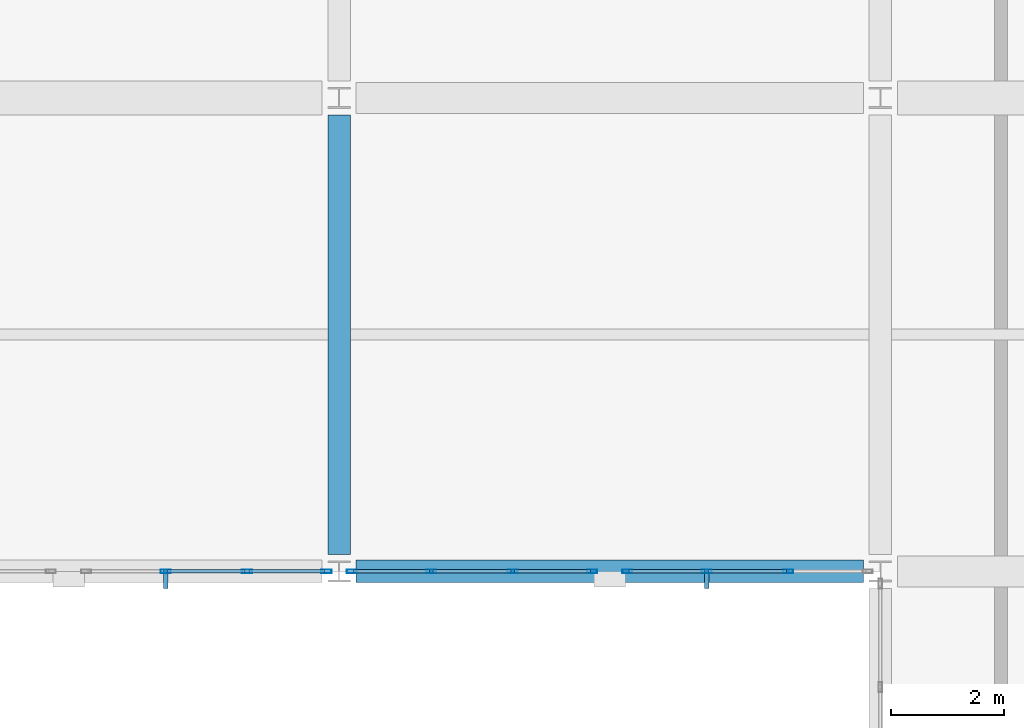
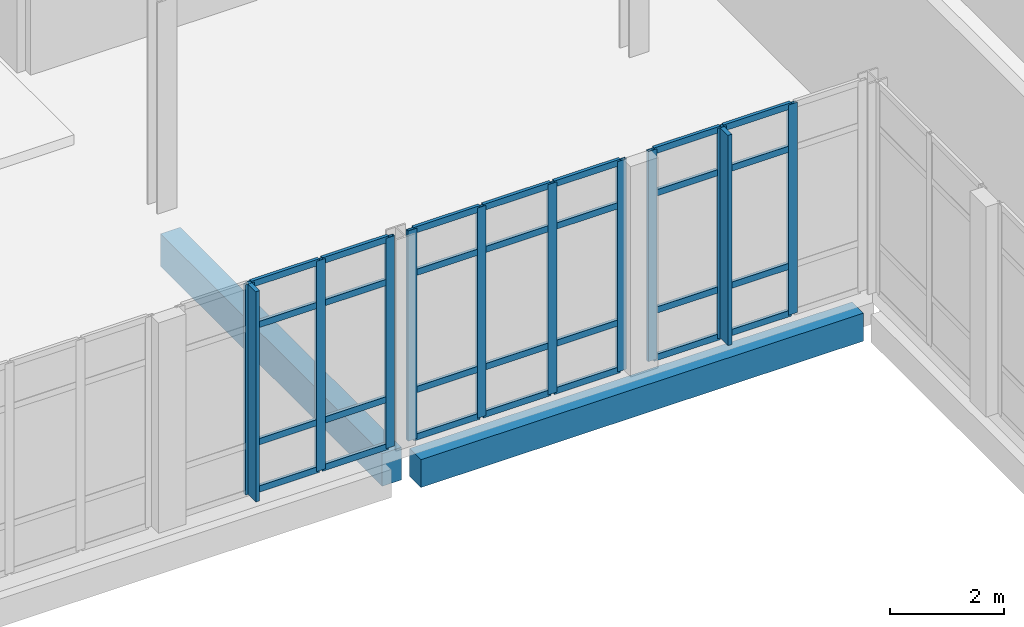
# One storey, part 53 of 102: 40 members, 2 beams, 3 elements without a shape of their own.
"""IFC4 building model written with IfcOpenShell, lengths in metres."""

from ifc_helpers import new_model, si_unit, direction, frame, origin, origin_2d, place, context, subcontext, project, spatial, rectangle, hollow_rectangle, extrude, material, layer, layer_set, material_profile, profile_set, type_object, element, aggregate, save


model = new_model("IFC4")

# Units and contexts
model_context = context("Model", 3, precision=1e-05, world=origin(), true_north=direction((0.0, 1.0)))
body_context = subcontext(model_context, "Body", "Model", "MODEL_VIEW")
ifc_project = project(units=[si_unit("LENGTHUNIT", "METRE"), si_unit("AREAUNIT", "SQUARE_METRE"), si_unit("VOLUMEUNIT", "CUBIC_METRE"), si_unit("PLANEANGLEUNIT", "RADIAN"), si_unit("MASSUNIT", "GRAM", prefix="KILO")], contexts=[model_context])

# Site, building, storey
site_placement = place(None, origin())
site = spatial("IfcSite", under=ifc_project, at=site_placement, CompositionType="ELEMENT")
building_placement = place(site_placement, origin())
building = spatial("IfcBuilding", under=site, at=building_placement, Name="Lornevale Opera House", CompositionType="ELEMENT")
storey_placement = place(building_placement, frame((0.0, 0.0, 5.39990234375)))
storey = spatial("IfcBuildingStorey", under=building, at=storey_placement, Name="L02", CompositionType="ELEMENT", Elevation=5.39990234375)

# Beams
ifc_material_1 = material(Name="Concrete 35 MPa (CSA A23.1 N)", Category="concrete")
ifc_material_profile_1 = material_profile(ifc_material_1, rectangle(XDim=0.39990234375, YDim=0.699951171875, at=origin_2d()), Name="RC400x700")
ifc_profile_set_1 = profile_set([ifc_material_profile_1], Name="Concrete 35 MPa (CSA A23.1 N)")
beam_type_1 = type_object("IfcBeamType", Name="Concrete Floor Beam 400x700", PredefinedType="USERDEFINED", material=ifc_profile_set_1)
beam_1_placement = place(storey_placement, frame((19.199951171875, 67.5, -0.699951171875), z_axis=(0.0, 1.0, 0.0), x_axis=(-1.0, 0.0, 0.0)))
element("IfcBeam", 1, at=beam_1_placement, inside=storey, type_object=beam_type_1, Name="Concrete Floor Beam 400x700 1841", ObjectType="GIRDER", PredefinedType="USERDEFINED", context=body_context, shape_type="SweptSolid", body=[
    extrude(rectangle(XDim=0.39990234375, YDim=0.699951171875, at=origin_2d()), origin(), (0.0, 0.0, 1.0), 7.800048828125),
])
ifc_material_profile_2 = material_profile(ifc_material_1, rectangle(XDim=0.39990234375, YDim=0.60009765625, at=origin_2d()), Name="RC400x600")
ifc_profile_set_2 = profile_set([ifc_material_profile_2], Name="Concrete 35 MPa (CSA A23.1 N)")
beam_type_2 = type_object("IfcBeamType", Name="Concrete Spandrel Beam 400x600", PredefinedType="SPANDREL", material=ifc_profile_set_2)
beam_2_placement = place(storey_placement, frame((19.5, 67.199951171875, -0.64990234375), z_axis=(1.0, 0.0, 0.0), x_axis=(0.0, 1.0, 0.0)))
element("IfcBeam", 2, at=beam_2_placement, inside=storey, type_object=beam_type_2, Name="Concrete Spandrel Beam 400x600 1758", PredefinedType="SPANDREL", context=body_context, shape_type="SweptSolid", body=[
    extrude(rectangle(XDim=0.39990234375, YDim=0.60009765625, at=origin_2d()), origin(), (0.0, 0.0, 1.0), 9.0),
])

# Curtain wall, members
ifc_material_2 = material(Name="Anodized Oxide-Green Aluminium Framing", Category="aluminium")
ifc_layer = layer(ifc_material_2, 0.175048828125)
ifc_layer_set = layer_set([ifc_layer], Name="Anodized Oxide-Green Aluminium Framing")
curtain_wall_type = type_object("IfcCurtainWallType", Name="Chamber Cloister Curtain Wall M1700", PredefinedType="NOTDEFINED", material=ifc_layer_set)
curtain_wall_1_placement = place(storey_placement, origin())
curtain_wall_1 = element("IfcCurtainWall", 3, at=curtain_wall_1_placement, inside=storey, type_object=curtain_wall_type, Name="Chamber Cloister Curtain Wall M1700 CW-033", PredefinedType="NOTDEFINED")
ifc_material_profile_3 = material_profile(ifc_material_2, hollow_rectangle(XDim=0.06494140625, YDim=0.179931640625, WallThickness=0.0048828125, at=origin_2d()), Name="ALU65x180x5")
ifc_profile_set_3 = profile_set([ifc_material_profile_3], Name="Anodized Oxide-Green Aluminium Framing")
member_type_1 = type_object("IfcMemberType", Name="Curtain Wall Mullion 65x180", PredefinedType="MULLION", material=ifc_profile_set_3)
member_1_placement = place(storey_placement, frame((18.974609375, 67.199951171875, 0.0), z_axis=(0.0, 0.0, 1.0), x_axis=(0.0, -1.0, 0.0)))
member_1 = element("IfcMember", 4, at=member_1_placement, type_object=member_type_1, Name="Curtain Wall Mullion 65x180 CW0633", PredefinedType="MULLION", context=body_context, shape_type="SweptSolid", body=[
    extrude(hollow_rectangle(XDim=0.06494140625, YDim=0.179931640625, WallThickness=0.0048828125, at=origin_2d()), origin(), (0.0, 0.0, 1.0), 4.52001953125),
])
member_2_placement = place(storey_placement, frame((17.564697265625, 67.199951171875, 0.0), z_axis=(0.0, 0.0, 1.0), x_axis=(0.0, -1.0, 0.0)))
member_2 = element("IfcMember", 5, at=member_2_placement, type_object=member_type_1, Name="Curtain Wall Mullion 65x180 CW0634", PredefinedType="MULLION", context=body_context, shape_type="SweptSolid", body=[
    extrude(hollow_rectangle(XDim=0.06494140625, YDim=0.179931640625, WallThickness=0.0048828125, at=origin_2d()), origin(), (0.0, 0.0, 1.0), 4.52001953125),
])
member_3_placement = place(storey_placement, frame((16.122314453125, 67.199951171875, 0.0), z_axis=(0.0, 0.0, 1.0), x_axis=(0.0, -1.0, 0.0)))
member_3 = element("IfcMember", 6, at=member_3_placement, type_object=member_type_1, Name="Curtain Wall Mullion 65x180 CW0635", PredefinedType="MULLION", context=body_context, shape_type="SweptSolid", body=[
    extrude(hollow_rectangle(XDim=0.06494140625, YDim=0.179931640625, WallThickness=0.0048828125, at=origin_2d()), origin(), (0.0, 0.0, 1.0), 4.52001953125),
])

curtain_wall_2_placement = place(storey_placement, origin())
curtain_wall_2 = element("IfcCurtainWall", 7, at=curtain_wall_2_placement, inside=storey, type_object=curtain_wall_type, Name="Chamber Cloister Curtain Wall M1700 CW-041", PredefinedType="NOTDEFINED")
member_4_placement = place(storey_placement, frame((27.164794921875, 67.199951171875, 0.0), z_axis=(0.0, 0.0, 1.0), x_axis=(0.0, -1.0, 0.0)))
member_4 = element("IfcMember", 8, at=member_4_placement, type_object=member_type_1, Name="Curtain Wall Mullion 65x180 CW0834", PredefinedType="MULLION", context=body_context, shape_type="SweptSolid", body=[
    extrude(hollow_rectangle(XDim=0.06494140625, YDim=0.179931640625, WallThickness=0.0048828125, at=origin_2d()), origin(), (0.0, 0.0, 1.0), 4.52001953125),
])
member_5_placement = place(storey_placement, frame((25.722412109375, 67.199951171875, 0.0), z_axis=(0.0, 0.0, 1.0), x_axis=(0.0, -1.0, 0.0)))
member_5 = element("IfcMember", 9, at=member_5_placement, type_object=member_type_1, Name="Curtain Wall Mullion 65x180 CW0835", PredefinedType="MULLION", context=body_context, shape_type="SweptSolid", body=[
    extrude(hollow_rectangle(XDim=0.06494140625, YDim=0.179931640625, WallThickness=0.0048828125, at=origin_2d()), origin(), (0.0, 0.0, 1.0), 4.52001953125),
])
member_6_placement = place(storey_placement, frame((24.3125, 67.199951171875, 0.0), z_axis=(0.0, 0.0, 1.0), x_axis=(0.0, -1.0, 0.0)))
member_6 = element("IfcMember", 10, at=member_6_placement, type_object=member_type_1, Name="Curtain Wall Mullion 65x180 CW0836", PredefinedType="MULLION", context=body_context, shape_type="SweptSolid", body=[
    extrude(hollow_rectangle(XDim=0.06494140625, YDim=0.179931640625, WallThickness=0.0048828125, at=origin_2d()), origin(), (0.0, 0.0, 1.0), 4.52001953125),
])

curtain_wall_3_placement = place(storey_placement, origin())
curtain_wall_3 = element("IfcCurtainWall", 11, at=curtain_wall_3_placement, inside=storey, type_object=curtain_wall_type, Name="Chamber Cloister Curtain Wall M1700 CW-042", PredefinedType="NOTDEFINED")
member_7_placement = place(storey_placement, frame((23.6875, 67.199951171875, 0.0), z_axis=(0.0, 0.0, 1.0), x_axis=(0.0, -1.0, 0.0)))
member_7 = element("IfcMember", 12, at=member_7_placement, type_object=member_type_1, Name="Curtain Wall Mullion 65x180 CW0858", PredefinedType="MULLION", context=body_context, shape_type="SweptSolid", body=[
    extrude(hollow_rectangle(XDim=0.06494140625, YDim=0.179931640625, WallThickness=0.0048828125, at=origin_2d()), origin(), (0.0, 0.0, 1.0), 4.52001953125),
])
member_8_placement = place(storey_placement, frame((22.277587890625, 67.199951171875, 0.0), z_axis=(0.0, 0.0, 1.0), x_axis=(0.0, -1.0, 0.0)))
member_8 = element("IfcMember", 13, at=member_8_placement, type_object=member_type_1, Name="Curtain Wall Mullion 65x180 CW0859", PredefinedType="MULLION", context=body_context, shape_type="SweptSolid", body=[
    extrude(hollow_rectangle(XDim=0.06494140625, YDim=0.179931640625, WallThickness=0.0048828125, at=origin_2d()), origin(), (0.0, 0.0, 1.0), 4.52001953125),
])
member_9_placement = place(storey_placement, frame((20.835205078125, 67.199951171875, 0.0), z_axis=(0.0, 0.0, 1.0), x_axis=(0.0, -1.0, 0.0)))
member_9 = element("IfcMember", 14, at=member_9_placement, type_object=member_type_1, Name="Curtain Wall Mullion 65x180 CW0860", PredefinedType="MULLION", context=body_context, shape_type="SweptSolid", body=[
    extrude(hollow_rectangle(XDim=0.06494140625, YDim=0.179931640625, WallThickness=0.0048828125, at=origin_2d()), origin(), (0.0, 0.0, 1.0), 4.52001953125),
])
member_10_placement = place(storey_placement, frame((19.425537109375, 67.199951171875, 0.0), z_axis=(0.0, 0.0, 1.0), x_axis=(0.0, -1.0, 0.0)))
member_10 = element("IfcMember", 15, at=member_10_placement, type_object=member_type_1, Name="Curtain Wall Mullion 65x180 CW0861", PredefinedType="MULLION", context=body_context, shape_type="SweptSolid", body=[
    extrude(hollow_rectangle(XDim=0.06494140625, YDim=0.179931640625, WallThickness=0.0048828125, at=origin_2d()), origin(), (0.0, 0.0, 1.0), 4.52001953125),
])

# Member
ifc_material_profile_4 = material_profile(ifc_material_2, hollow_rectangle(XDim=0.06494140625, YDim=0.135009765625, WallThickness=0.00390625, at=origin_2d()), Name="ALU65x135x4")
ifc_profile_set_4 = profile_set([ifc_material_profile_4], Name="Anodized Oxide-Green Aluminium Framing")
member_type_2 = type_object("IfcMemberType", Name="Curtain Wall Transom 65x135", PredefinedType="USERDEFINED", material=ifc_profile_set_4)
member_11_placement = place(storey_placement, frame((18.94189453125, 67.199951171875, 0.03271484375), z_axis=(-1.0, 0.0, 0.0), x_axis=(0.0, -1.0, 0.0)))
member_11 = element("IfcMember", 16, at=member_11_placement, type_object=member_type_2, Name="Curtain Wall Transom 65x135 CW0637", ObjectType="TRANSOM", PredefinedType="USERDEFINED", context=body_context, shape_type="SweptSolid", body=[
    extrude(hollow_rectangle(XDim=0.06494140625, YDim=0.135009765625, WallThickness=0.00390625, at=origin_2d()), origin(), (0.0, 0.0, 1.0), 1.3447265625),
])

member_12_placement = place(storey_placement, frame((18.94189453125, 67.199951171875, 1.050048828125), z_axis=(-1.0, 0.0, 0.0), x_axis=(0.0, -1.0, 0.0)))
member_12 = element("IfcMember", 17, at=member_12_placement, type_object=member_type_2, Name="Curtain Wall Transom 65x135 CW0638", ObjectType="TRANSOM", PredefinedType="USERDEFINED", context=body_context, shape_type="SweptSolid", body=[
    extrude(hollow_rectangle(XDim=0.06494140625, YDim=0.135009765625, WallThickness=0.00390625, at=origin_2d()), origin(), (0.0, 0.0, 1.0), 1.3447265625),
])

member_13_placement = place(storey_placement, frame((18.94189453125, 67.199951171875, 3.570068359375), z_axis=(-1.0, 0.0, 0.0), x_axis=(0.0, -1.0, 0.0)))
member_13 = element("IfcMember", 18, at=member_13_placement, type_object=member_type_2, Name="Curtain Wall Transom 65x135 CW0639", ObjectType="TRANSOM", PredefinedType="USERDEFINED", context=body_context, shape_type="SweptSolid", body=[
    extrude(hollow_rectangle(XDim=0.06494140625, YDim=0.135009765625, WallThickness=0.00390625, at=origin_2d()), origin(), (0.0, 0.0, 1.0), 1.3447265625),
])

member_14_placement = place(storey_placement, frame((18.94189453125, 67.199951171875, 4.487548828125), z_axis=(-1.0, 0.0, 0.0), x_axis=(0.0, -1.0, 0.0)))
member_14 = element("IfcMember", 19, at=member_14_placement, type_object=member_type_2, Name="Curtain Wall Transom 65x135 CW0640", ObjectType="TRANSOM", PredefinedType="USERDEFINED", context=body_context, shape_type="SweptSolid", body=[
    extrude(hollow_rectangle(XDim=0.06494140625, YDim=0.135009765625, WallThickness=0.00390625, at=origin_2d()), origin(), (0.0, 0.0, 1.0), 1.3447265625),
])

member_15_placement = place(storey_placement, frame((17.5322265625, 67.199951171875, 0.03271484375), z_axis=(-1.0, 0.0, 0.0), x_axis=(0.0, -1.0, 0.0)))
member_15 = element("IfcMember", 20, at=member_15_placement, type_object=member_type_2, Name="Curtain Wall Transom 65x135 CW0644", ObjectType="TRANSOM", PredefinedType="USERDEFINED", context=body_context, shape_type="SweptSolid", body=[
    extrude(hollow_rectangle(XDim=0.06494140625, YDim=0.135009765625, WallThickness=0.00390625, at=origin_2d()), origin(), (0.0, 0.0, 1.0), 1.37744140625),
])

member_16_placement = place(storey_placement, frame((17.5322265625, 67.199951171875, 1.050048828125), z_axis=(-1.0, 0.0, 0.0), x_axis=(0.0, -1.0, 0.0)))
member_16 = element("IfcMember", 21, at=member_16_placement, type_object=member_type_2, Name="Curtain Wall Transom 65x135 CW0645", ObjectType="TRANSOM", PredefinedType="USERDEFINED", context=body_context, shape_type="SweptSolid", body=[
    extrude(hollow_rectangle(XDim=0.06494140625, YDim=0.135009765625, WallThickness=0.00390625, at=origin_2d()), origin(), (0.0, 0.0, 1.0), 1.37744140625),
])

member_17_placement = place(storey_placement, frame((17.5322265625, 67.199951171875, 3.570068359375), z_axis=(-1.0, 0.0, 0.0), x_axis=(0.0, -1.0, 0.0)))
member_17 = element("IfcMember", 22, at=member_17_placement, type_object=member_type_2, Name="Curtain Wall Transom 65x135 CW0646", ObjectType="TRANSOM", PredefinedType="USERDEFINED", context=body_context, shape_type="SweptSolid", body=[
    extrude(hollow_rectangle(XDim=0.06494140625, YDim=0.135009765625, WallThickness=0.00390625, at=origin_2d()), origin(), (0.0, 0.0, 1.0), 1.37744140625),
])

member_18_placement = place(storey_placement, frame((17.5322265625, 67.199951171875, 4.487548828125), z_axis=(-1.0, 0.0, 0.0), x_axis=(0.0, -1.0, 0.0)))
member_18 = element("IfcMember", 23, at=member_18_placement, type_object=member_type_2, Name="Curtain Wall Transom 65x135 CW0647", ObjectType="TRANSOM", PredefinedType="USERDEFINED", context=body_context, shape_type="SweptSolid", body=[
    extrude(hollow_rectangle(XDim=0.06494140625, YDim=0.135009765625, WallThickness=0.00390625, at=origin_2d()), origin(), (0.0, 0.0, 1.0), 1.37744140625),
])

member_19_placement = place(storey_placement, frame((27.132080078125, 67.199951171875, 0.03271484375), z_axis=(-1.0, 0.0, 0.0), x_axis=(0.0, -1.0, 0.0)))
member_19 = element("IfcMember", 24, at=member_19_placement, type_object=member_type_2, Name="Curtain Wall Transom 65x135 CW0844", ObjectType="TRANSOM", PredefinedType="USERDEFINED", context=body_context, shape_type="SweptSolid", body=[
    extrude(hollow_rectangle(XDim=0.06494140625, YDim=0.135009765625, WallThickness=0.00390625, at=origin_2d()), origin(), (0.0, 0.0, 1.0), 1.377197265625),
])

member_20_placement = place(storey_placement, frame((27.132080078125, 67.199951171875, 1.050048828125), z_axis=(-1.0, 0.0, 0.0), x_axis=(0.0, -1.0, 0.0)))
member_20 = element("IfcMember", 25, at=member_20_placement, type_object=member_type_2, Name="Curtain Wall Transom 65x135 CW0845", ObjectType="TRANSOM", PredefinedType="USERDEFINED", context=body_context, shape_type="SweptSolid", body=[
    extrude(hollow_rectangle(XDim=0.06494140625, YDim=0.135009765625, WallThickness=0.00390625, at=origin_2d()), origin(), (0.0, 0.0, 1.0), 1.377197265625),
])

member_21_placement = place(storey_placement, frame((27.132080078125, 67.199951171875, 3.570068359375), z_axis=(-1.0, 0.0, 0.0), x_axis=(0.0, -1.0, 0.0)))
member_21 = element("IfcMember", 26, at=member_21_placement, type_object=member_type_2, Name="Curtain Wall Transom 65x135 CW0846", ObjectType="TRANSOM", PredefinedType="USERDEFINED", context=body_context, shape_type="SweptSolid", body=[
    extrude(hollow_rectangle(XDim=0.06494140625, YDim=0.135009765625, WallThickness=0.00390625, at=origin_2d()), origin(), (0.0, 0.0, 1.0), 1.377197265625),
])

member_22_placement = place(storey_placement, frame((27.132080078125, 67.199951171875, 4.487548828125), z_axis=(-1.0, 0.0, 0.0), x_axis=(0.0, -1.0, 0.0)))
member_22 = element("IfcMember", 27, at=member_22_placement, type_object=member_type_2, Name="Curtain Wall Transom 65x135 CW0847", ObjectType="TRANSOM", PredefinedType="USERDEFINED", context=body_context, shape_type="SweptSolid", body=[
    extrude(hollow_rectangle(XDim=0.06494140625, YDim=0.135009765625, WallThickness=0.00390625, at=origin_2d()), origin(), (0.0, 0.0, 1.0), 1.377197265625),
])

member_23_placement = place(storey_placement, frame((25.689697265625, 67.199951171875, 0.03271484375), z_axis=(-1.0, 0.0, 0.0), x_axis=(0.0, -1.0, 0.0)))
member_23 = element("IfcMember", 28, at=member_23_placement, type_object=member_type_2, Name="Curtain Wall Transom 65x135 CW0851", ObjectType="TRANSOM", PredefinedType="USERDEFINED", context=body_context, shape_type="SweptSolid", body=[
    extrude(hollow_rectangle(XDim=0.06494140625, YDim=0.135009765625, WallThickness=0.00390625, at=origin_2d()), origin(), (0.0, 0.0, 1.0), 1.3447265625),
])

member_24_placement = place(storey_placement, frame((25.689697265625, 67.199951171875, 1.050048828125), z_axis=(-1.0, 0.0, 0.0), x_axis=(0.0, -1.0, 0.0)))
member_24 = element("IfcMember", 29, at=member_24_placement, type_object=member_type_2, Name="Curtain Wall Transom 65x135 CW0852", ObjectType="TRANSOM", PredefinedType="USERDEFINED", context=body_context, shape_type="SweptSolid", body=[
    extrude(hollow_rectangle(XDim=0.06494140625, YDim=0.135009765625, WallThickness=0.00390625, at=origin_2d()), origin(), (0.0, 0.0, 1.0), 1.3447265625),
])

member_25_placement = place(storey_placement, frame((25.689697265625, 67.199951171875, 3.570068359375), z_axis=(-1.0, 0.0, 0.0), x_axis=(0.0, -1.0, 0.0)))
member_25 = element("IfcMember", 30, at=member_25_placement, type_object=member_type_2, Name="Curtain Wall Transom 65x135 CW0853", ObjectType="TRANSOM", PredefinedType="USERDEFINED", context=body_context, shape_type="SweptSolid", body=[
    extrude(hollow_rectangle(XDim=0.06494140625, YDim=0.135009765625, WallThickness=0.00390625, at=origin_2d()), origin(), (0.0, 0.0, 1.0), 1.3447265625),
])

member_26_placement = place(storey_placement, frame((25.689697265625, 67.199951171875, 4.487548828125), z_axis=(-1.0, 0.0, 0.0), x_axis=(0.0, -1.0, 0.0)))
member_26 = element("IfcMember", 31, at=member_26_placement, type_object=member_type_2, Name="Curtain Wall Transom 65x135 CW0854", ObjectType="TRANSOM", PredefinedType="USERDEFINED", context=body_context, shape_type="SweptSolid", body=[
    extrude(hollow_rectangle(XDim=0.06494140625, YDim=0.135009765625, WallThickness=0.00390625, at=origin_2d()), origin(), (0.0, 0.0, 1.0), 1.3447265625),
])

member_27_placement = place(storey_placement, frame((23.655029296875, 67.199951171875, 0.03271484375), z_axis=(-1.0, 0.0, 0.0), x_axis=(0.0, -1.0, 0.0)))
member_27 = element("IfcMember", 32, at=member_27_placement, type_object=member_type_2, Name="Curtain Wall Transom 65x135 CW0862", ObjectType="TRANSOM", PredefinedType="USERDEFINED", context=body_context, shape_type="SweptSolid", body=[
    extrude(hollow_rectangle(XDim=0.06494140625, YDim=0.135009765625, WallThickness=0.00390625, at=origin_2d()), origin(), (0.0, 0.0, 1.0), 1.3447265625),
])

member_28_placement = place(storey_placement, frame((23.655029296875, 67.199951171875, 1.050048828125), z_axis=(-1.0, 0.0, 0.0), x_axis=(0.0, -1.0, 0.0)))
member_28 = element("IfcMember", 33, at=member_28_placement, type_object=member_type_2, Name="Curtain Wall Transom 65x135 CW0863", ObjectType="TRANSOM", PredefinedType="USERDEFINED", context=body_context, shape_type="SweptSolid", body=[
    extrude(hollow_rectangle(XDim=0.06494140625, YDim=0.135009765625, WallThickness=0.00390625, at=origin_2d()), origin(), (0.0, 0.0, 1.0), 1.3447265625),
])

member_29_placement = place(storey_placement, frame((23.655029296875, 67.199951171875, 3.570068359375), z_axis=(-1.0, 0.0, 0.0), x_axis=(0.0, -1.0, 0.0)))
member_29 = element("IfcMember", 34, at=member_29_placement, type_object=member_type_2, Name="Curtain Wall Transom 65x135 CW0864", ObjectType="TRANSOM", PredefinedType="USERDEFINED", context=body_context, shape_type="SweptSolid", body=[
    extrude(hollow_rectangle(XDim=0.06494140625, YDim=0.135009765625, WallThickness=0.00390625, at=origin_2d()), origin(), (0.0, 0.0, 1.0), 1.3447265625),
])

member_30_placement = place(storey_placement, frame((23.655029296875, 67.199951171875, 4.487548828125), z_axis=(-1.0, 0.0, 0.0), x_axis=(0.0, -1.0, 0.0)))
member_30 = element("IfcMember", 35, at=member_30_placement, type_object=member_type_2, Name="Curtain Wall Transom 65x135 CW0865", ObjectType="TRANSOM", PredefinedType="USERDEFINED", context=body_context, shape_type="SweptSolid", body=[
    extrude(hollow_rectangle(XDim=0.06494140625, YDim=0.135009765625, WallThickness=0.00390625, at=origin_2d()), origin(), (0.0, 0.0, 1.0), 1.3447265625),
])

member_31_placement = place(storey_placement, frame((22.2451171875, 67.199951171875, 0.03271484375), z_axis=(-1.0, 0.0, 0.0), x_axis=(0.0, -1.0, 0.0)))
member_31 = element("IfcMember", 36, at=member_31_placement, type_object=member_type_2, Name="Curtain Wall Transom 65x135 CW0869", ObjectType="TRANSOM", PredefinedType="USERDEFINED", context=body_context, shape_type="SweptSolid", body=[
    extrude(hollow_rectangle(XDim=0.06494140625, YDim=0.135009765625, WallThickness=0.00390625, at=origin_2d()), origin(), (0.0, 0.0, 1.0), 1.377197265625),
])

member_32_placement = place(storey_placement, frame((22.2451171875, 67.199951171875, 1.050048828125), z_axis=(-1.0, 0.0, 0.0), x_axis=(0.0, -1.0, 0.0)))
member_32 = element("IfcMember", 37, at=member_32_placement, type_object=member_type_2, Name="Curtain Wall Transom 65x135 CW0870", ObjectType="TRANSOM", PredefinedType="USERDEFINED", context=body_context, shape_type="SweptSolid", body=[
    extrude(hollow_rectangle(XDim=0.06494140625, YDim=0.135009765625, WallThickness=0.00390625, at=origin_2d()), origin(), (0.0, 0.0, 1.0), 1.377197265625),
])

member_33_placement = place(storey_placement, frame((22.2451171875, 67.199951171875, 3.570068359375), z_axis=(-1.0, 0.0, 0.0), x_axis=(0.0, -1.0, 0.0)))
member_33 = element("IfcMember", 38, at=member_33_placement, type_object=member_type_2, Name="Curtain Wall Transom 65x135 CW0871", ObjectType="TRANSOM", PredefinedType="USERDEFINED", context=body_context, shape_type="SweptSolid", body=[
    extrude(hollow_rectangle(XDim=0.06494140625, YDim=0.135009765625, WallThickness=0.00390625, at=origin_2d()), origin(), (0.0, 0.0, 1.0), 1.377197265625),
])

member_34_placement = place(storey_placement, frame((22.2451171875, 67.199951171875, 4.487548828125), z_axis=(-1.0, 0.0, 0.0), x_axis=(0.0, -1.0, 0.0)))
member_34 = element("IfcMember", 39, at=member_34_placement, type_object=member_type_2, Name="Curtain Wall Transom 65x135 CW0872", ObjectType="TRANSOM", PredefinedType="USERDEFINED", context=body_context, shape_type="SweptSolid", body=[
    extrude(hollow_rectangle(XDim=0.06494140625, YDim=0.135009765625, WallThickness=0.00390625, at=origin_2d()), origin(), (0.0, 0.0, 1.0), 1.377197265625),
])

member_35_placement = place(storey_placement, frame((20.802734375, 67.199951171875, 0.03271484375), z_axis=(-1.0, 0.0, 0.0), x_axis=(0.0, -1.0, 0.0)))
member_35 = element("IfcMember", 40, at=member_35_placement, type_object=member_type_2, Name="Curtain Wall Transom 65x135 CW0876", ObjectType="TRANSOM", PredefinedType="USERDEFINED", context=body_context, shape_type="SweptSolid", body=[
    extrude(hollow_rectangle(XDim=0.06494140625, YDim=0.135009765625, WallThickness=0.00390625, at=origin_2d()), origin(), (0.0, 0.0, 1.0), 1.3447265625),
])

member_36_placement = place(storey_placement, frame((20.802734375, 67.199951171875, 1.050048828125), z_axis=(-1.0, 0.0, 0.0), x_axis=(0.0, -1.0, 0.0)))
member_36 = element("IfcMember", 41, at=member_36_placement, type_object=member_type_2, Name="Curtain Wall Transom 65x135 CW0877", ObjectType="TRANSOM", PredefinedType="USERDEFINED", context=body_context, shape_type="SweptSolid", body=[
    extrude(hollow_rectangle(XDim=0.06494140625, YDim=0.135009765625, WallThickness=0.00390625, at=origin_2d()), origin(), (0.0, 0.0, 1.0), 1.3447265625),
])

member_37_placement = place(storey_placement, frame((20.802734375, 67.199951171875, 3.570068359375), z_axis=(-1.0, 0.0, 0.0), x_axis=(0.0, -1.0, 0.0)))
member_37 = element("IfcMember", 42, at=member_37_placement, type_object=member_type_2, Name="Curtain Wall Transom 65x135 CW0878", ObjectType="TRANSOM", PredefinedType="USERDEFINED", context=body_context, shape_type="SweptSolid", body=[
    extrude(hollow_rectangle(XDim=0.06494140625, YDim=0.135009765625, WallThickness=0.00390625, at=origin_2d()), origin(), (0.0, 0.0, 1.0), 1.3447265625),
])

member_38_placement = place(storey_placement, frame((20.802734375, 67.199951171875, 4.487548828125), z_axis=(-1.0, 0.0, 0.0), x_axis=(0.0, -1.0, 0.0)))
member_38 = element("IfcMember", 43, at=member_38_placement, type_object=member_type_2, Name="Curtain Wall Transom 65x135 CW0879", ObjectType="TRANSOM", PredefinedType="USERDEFINED", context=body_context, shape_type="SweptSolid", body=[
    extrude(hollow_rectangle(XDim=0.06494140625, YDim=0.135009765625, WallThickness=0.00390625, at=origin_2d()), origin(), (0.0, 0.0, 1.0), 1.3447265625),
])

aggregate(curtain_wall_3, [member_7, member_8, member_9, member_10, member_27, member_28, member_29, member_30, member_31, member_32, member_33, member_34, member_35, member_36, member_37, member_38])

ifc_material_3 = material(Name="Architectural Bronze Solar Louvre Alloy", Category="metal")
ifc_material_profile_5 = material_profile(ifc_material_3, rectangle(XDim=0.080078125, YDim=0.360107421875, at=origin_2d()), Name="FIN80x360")
ifc_profile_set_5 = profile_set([ifc_material_profile_5], Name="Architectural Bronze Solar Louvre Alloy")
member_type_3 = type_object("IfcMemberType", Name="Solar Shading Fin 80x360", PredefinedType="USERDEFINED", material=ifc_profile_set_5)
member_39_placement = place(storey_placement, frame((16.122314453125, 67.073974609375, 0.0), z_axis=(0.0, 0.0, 1.0), x_axis=(-1.0, 0.0, 0.0)))
member_39 = element("IfcMember", 44, at=member_39_placement, type_object=member_type_3, Name="Solar Shading Fin 80x360 FIN0014", ObjectType="SOLAR FIN", PredefinedType="USERDEFINED", context=body_context, shape_type="SweptSolid", body=[
    extrude(rectangle(XDim=0.080078125, YDim=0.360107421875, at=origin_2d()), origin(), (0.0, 0.0, 1.0), 4.52001953125),
])

aggregate(curtain_wall_1, [member_1, member_2, member_3, member_11, member_12, member_13, member_14, member_15, member_16, member_17, member_18, member_39])

member_40_placement = place(storey_placement, frame((25.722412109375, 67.073974609375, 0.0), z_axis=(0.0, 0.0, 1.0), x_axis=(-1.0, 0.0, 0.0)))
member_40 = element("IfcMember", 45, at=member_40_placement, type_object=member_type_3, Name="Solar Shading Fin 80x360 FIN0016", ObjectType="SOLAR FIN", PredefinedType="USERDEFINED", context=body_context, shape_type="SweptSolid", body=[
    extrude(rectangle(XDim=0.080078125, YDim=0.360107421875, at=origin_2d()), origin(), (0.0, 0.0, 1.0), 4.52001953125),
])

aggregate(curtain_wall_2, [member_4, member_5, member_6, member_19, member_20, member_21, member_22, member_23, member_24, member_25, member_26, member_40])

save(model, "model.ifc")
